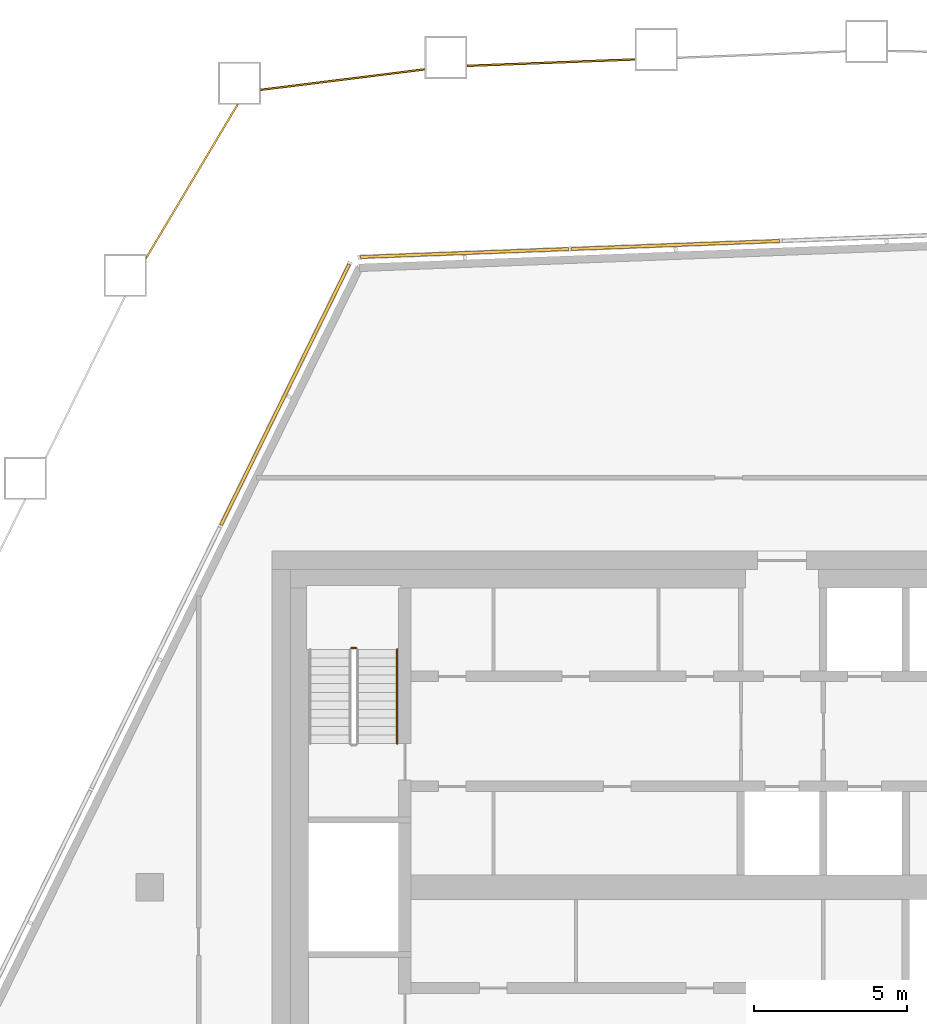
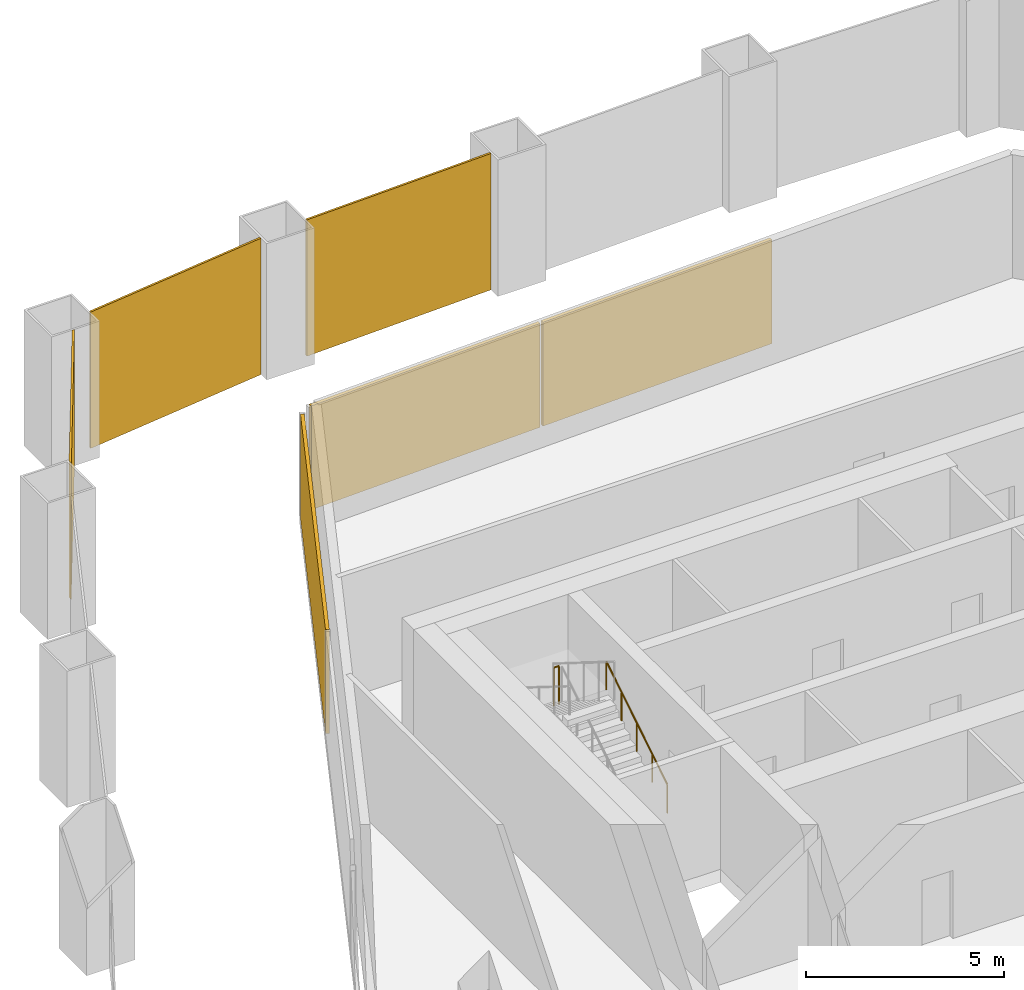
# One storey, part 16 of 18: 6 coverings, 2 railings, 2 elements without a shape of their own.
"""IFC4 building model written with IfcOpenShell, lengths in metres."""

import ifcopenshell
import ifcopenshell.guid

model = None  # the IFC model being written
_history = None  # IfcOwnerHistory: only IFC2X3 demands one
_inside = {}  # id of a spatial element -> (the spatial element, [elements in it])
_under = {}  # id of a project, library or spatial element -> (it, [spatial elements below it])
_declared = {}  # id of a project -> (the project, [libraries it declares])
_typed = {}  # id of a type object -> (the type object, [elements of that type])
_made_of = {}  # id of a material, layer set ... -> (it, [elements and type objects made of it])


def new_model(schema):
    """Start an empty IFC model of exactly this schema.

    Asked for "IFC4X3", IfcOpenShell would pick the latest addendum, in which some entities
    have other attributes; the version numbers below select the first issue.
    IFC2X3 requires an IfcOwnerHistory on every rooted entity: one is made here for all.
    """
    global model, _history
    if schema == "IFC4X3":
        model = ifcopenshell.file(schema_version=(4, 3, 0, 0))
    else:
        model = ifcopenshell.file(schema=schema)
    _inside.clear()
    _under.clear()
    _declared.clear()
    _typed.clear()
    _made_of.clear()
    _history = None
    if model.schema == "IFC2X3":
        org = make("IfcOrganization", Name="unknown")
        user = make(
            "IfcPersonAndOrganization",
            ThePerson=make("IfcPerson", FamilyName="unknown"),
            TheOrganization=org,
        )
        app = make(
            "IfcApplication",
            ApplicationDeveloper=org,
            Version="unknown",
            ApplicationFullName="unknown",
            ApplicationIdentifier="unknown",
        )
        _history = make(
            "IfcOwnerHistory",
            OwningUser=user,
            OwningApplication=app,
            ChangeAction="ADDED",
            CreationDate=0,
        )
    return model


def make(cls, **values):
    """One entity of the class cls with the attributes given. An attribute that is None is left unset."""
    return model.create_entity(
        cls, **{name: value for name, value in values.items() if value is not None}
    )


def rooted(cls, **values):
    """An entity with a GlobalId (a new one), such as an element, a storey or a relation."""
    return make(cls, GlobalId=ifcopenshell.guid.new(), OwnerHistory=_history, **values)


def si_unit(unit_type, name, prefix=None):
    """IfcSIUnit, for example si_unit("LENGTHUNIT", "METRE", prefix="MILLI")."""
    return make("IfcSIUnit", UnitType=unit_type, Prefix=prefix, Name=name)


def assignment(units):
    """IfcUnitAssignment: the units of a project."""
    return None if units is None else make("IfcUnitAssignment", Units=units)


def point(xyz):
    """IfcCartesianPoint."""
    return None if xyz is None else make("IfcCartesianPoint", Coordinates=xyz)


def direction(xyz):
    """IfcDirection."""
    return None if xyz is None else make("IfcDirection", DirectionRatios=xyz)


def frame(location, z_axis=None, x_axis=None):
    """IfcAxis2Placement3D, a coordinate frame: its origin and axes. An axis left out is left unset."""
    return make(
        "IfcAxis2Placement3D",
        Location=point(location),
        Axis=direction(z_axis),
        RefDirection=direction(x_axis),
    )


def frame_2d(location, x_axis=None):
    """IfcAxis2Placement2D, a coordinate frame in the plane: its origin and x axis."""
    return make(
        "IfcAxis2Placement2D", Location=point(location), RefDirection=direction(x_axis)
    )


def origin():
    """The frame at (0, 0, 0) with its axes left unset."""
    return frame((0.0, 0.0, 0.0))


def origin_2d():
    """The frame at (0, 0) in the plane with its x axis left unset."""
    return frame_2d((0.0, 0.0))


def place(relative_to, where):
    """IfcLocalPlacement: puts the frame where relative to a parent placement (None: the world)."""
    return make(
        "IfcLocalPlacement", PlacementRelTo=relative_to, RelativePlacement=where
    )


def context(
    kind, dimensions, precision=None, world=None, true_north=None, identifier=None
):
    """IfcGeometricRepresentationContext, for example the 3D "Model" context."""
    return make(
        "IfcGeometricRepresentationContext",
        ContextIdentifier=identifier,
        ContextType=kind,
        CoordinateSpaceDimension=dimensions,
        Precision=precision,
        WorldCoordinateSystem=world,
        TrueNorth=true_north,
    )


def subcontext(parent, identifier, kind, view, scale=None):
    """IfcGeometricRepresentationSubContext, for example "Body" below "Model"."""
    return make(
        "IfcGeometricRepresentationSubContext",
        ContextIdentifier=identifier,
        ContextType=kind,
        ParentContext=parent,
        TargetScale=scale,
        TargetView=view,
    )


def project(units=None, contexts=None):
    """IfcProject with its units and contexts."""
    return rooted(
        "IfcProject",
        Name="project",
        RepresentationContexts=contexts,
        UnitsInContext=assignment(units),
    )


def spatial(cls, under=None, at=None, **own):
    """A site, building, storey or space (cls), placed at a placement, below another one or the project."""
    s = rooted(cls, ObjectPlacement=at, **own)
    if under is not None:
        _under.setdefault(under.id(), (under, []))[1].append(s)
    return s


def polyline(points):
    """IfcPolyline through the points."""
    return make("IfcPolyline", Points=[point(p) for p in points])


def profile(cls, at=None, kind="AREA", **sizes):
    """A parametric profile (cls). Its sizes go by their IFC names, for example OverallWidth=200.0."""
    return make(cls, ProfileType=kind, Position=at, **sizes)


def rectangle(**sizes):
    """IfcRectangleProfileDef."""
    return profile("IfcRectangleProfileDef", **sizes)


def circle(**sizes):
    """IfcCircleProfileDef."""
    return profile("IfcCircleProfileDef", **sizes)


def outline(outer, holes=None, kind="AREA"):
    """IfcArbitraryClosedProfileDef: a profile drawn as a closed curve; with holes, ...WithVoids."""
    if holes is None:
        return make("IfcArbitraryClosedProfileDef", ProfileType=kind, OuterCurve=outer)
    return make(
        "IfcArbitraryProfileDefWithVoids",
        ProfileType=kind,
        OuterCurve=outer,
        InnerCurves=holes,
    )


def extrude(swept, where, along, depth):
    """IfcExtrudedAreaSolid: the profile swept, set in the frame where, extruded along a direction by depth."""
    return make(
        "IfcExtrudedAreaSolid",
        SweptArea=swept,
        Position=where,
        ExtrudedDirection=direction(along),
        Depth=depth,
    )


def shape(context_of_items, identifier, shape_type, items):
    """IfcShapeRepresentation: the items that make up one representation, for example the "Body"."""
    return make(
        "IfcShapeRepresentation",
        ContextOfItems=context_of_items,
        RepresentationIdentifier=identifier,
        RepresentationType=shape_type,
        Items=items,
    )


def material(Name=None, Category=None):
    """IfcMaterial."""
    return make("IfcMaterial", Name=Name, Category=Category)


def layer(
    of_material, thickness, ventilated=None, Name=None, Category=None, Priority=None
):
    """IfcMaterialLayer: one layer of a wall or slab, of a material (None: an air gap)."""
    return make(
        "IfcMaterialLayer",
        Material=of_material,
        LayerThickness=thickness,
        IsVentilated=ventilated,
        Name=Name,
        Category=Category,
        Priority=Priority,
    )


def layer_set(layers, Name=None):
    """IfcMaterialLayerSet."""
    return make("IfcMaterialLayerSet", MaterialLayers=layers, LayerSetName=Name)


def made_of(thing, what):
    """Note that an element or type object is made of a material, layer set ...; save() writes the relation."""
    if what is not None:
        _made_of.setdefault(what.id(), (what, []))[1].append(thing)
    return thing


def type_object(cls, material=None, **own):
    """A type object (cls), such as IfcWallType, which elements share."""
    return made_of(rooted(cls, **own), material)


def element(
    cls,
    number,
    at=None,
    inside=None,
    cuts=None,
    type_object=None,
    material=None,
    context=None,
    identifier="Body",
    shape_type=None,
    held_by="IfcProductDefinitionShape",
    body=None,
    shapes=None,
    **own,
):
    """One element of the class cls, such as IfcWall. Its Tag is "e" and its number.

    at: its placement. inside: the storey or other place that contains it. cuts: it is an
    opening in that element (IfcRelVoidsElement). A single representation is given by context,
    identifier, shape_type and body (its items); several are given by shapes. held_by: the class
    of the entity that holds the representations. save() writes the other relations.
    """
    e = rooted(cls, Tag="e%d" % number, ObjectPlacement=at, **own)
    if body is not None:
        shapes = [shape(context, identifier, shape_type, body)]
    if shapes is not None:
        e.Representation = make(held_by, Representations=shapes)
    if inside is not None:
        _inside.setdefault(inside.id(), (inside, []))[1].append(e)
    if cuts is not None:
        rooted(
            "IfcRelVoidsElement", RelatingBuildingElement=cuts, RelatedOpeningElement=e
        )
    if type_object is not None:
        _typed.setdefault(type_object.id(), (type_object, []))[1].append(e)
    return made_of(e, material)


def aggregate(whole, parts):
    """IfcRelAggregates: a whole, such as a stair, and the parts it consists of."""
    return rooted("IfcRelAggregates", RelatingObject=whole, RelatedObjects=parts)


def save(model, path):
    """Write the relations noted so far, then the file.

    IfcRelAggregates (storeys below a building ...), IfcRelContainedInSpatialStructure (elements
    in a storey), IfcRelDefinesByType, IfcRelAssociatesMaterial and IfcRelDeclares: one each for
    every whole, place, type object, material and project.
    """
    for whole, parts in _under.values():
        aggregate(whole, parts)
    for where, things in _inside.values():
        rooted(
            "IfcRelContainedInSpatialStructure",
            RelatedElements=things,
            RelatingStructure=where,
        )
    for kind, things in _typed.values():
        rooted("IfcRelDefinesByType", RelatedObjects=things, RelatingType=kind)
    for what, things in _made_of.values():
        rooted("IfcRelAssociatesMaterial", RelatedObjects=things, RelatingMaterial=what)
    for by, libraries in _declared.values():
        rooted("IfcRelDeclares", RelatingContext=by, RelatedDefinitions=libraries)
    model.write(path)


model = new_model("IFC4")

# Units and contexts
model_context = context("Model", 3, precision=1e-05, world=origin(), true_north=direction((0.0, 1.0)))
body_context = subcontext(model_context, "Body", "Model", "MODEL_VIEW")
ifc_project = project(units=[si_unit("LENGTHUNIT", "METRE"), si_unit("AREAUNIT", "SQUARE_METRE"), si_unit("VOLUMEUNIT", "CUBIC_METRE"), si_unit("PLANEANGLEUNIT", "RADIAN"), si_unit("MASSUNIT", "GRAM", prefix="KILO")], contexts=[model_context])

# Site, building, storey
site_placement = place(None, origin())
site = spatial("IfcSite", under=ifc_project, at=site_placement, CompositionType="ELEMENT")
building_placement = place(site_placement, origin())
building = spatial("IfcBuilding", under=site, at=building_placement, Name="Dongbaek Canopy Tower", CompositionType="ELEMENT")
storey_placement = place(building_placement, frame((0.0, 0.0, 363.199951171875)))
storey = spatial("IfcBuildingStorey", under=building, at=storey_placement, Name="L78", CompositionType="ELEMENT", Elevation=363.199951171875)

# Coverings
ifc_material_1 = material(Name="Perforated pale metal")
ifc_layer_1 = layer(ifc_material_1, 0.06005859375)
ifc_layer_set_1 = layer_set([ifc_layer_1], Name="Crown plant screen")
covering_type_1 = type_object("IfcCoveringType", Name="Crown plant screen", PredefinedType="CLADDING", material=ifc_layer_set_1)
covering_1_placement = place(storey_placement, origin())
element("IfcCovering", 1, at=covering_1_placement, inside=storey, type_object=covering_type_1, Name="Crown plant screen 20 L78", PredefinedType="CLADDING", context=body_context, shape_type="SweptSolid", body=[
    extrude(outline(polyline([(-2.117919921875, 27.131103515625), (-2.117919921875, 27.07080078125), (-7.60888671875, 26.860595703125), (-7.60888671875, 26.920654296875), (-2.117919921875, 27.131103515625)])), origin(), (0.0, 0.0, 1.0), 4.199951171875),
])
covering_2_placement = place(storey_placement, origin())
element("IfcCovering", 2, at=covering_2_placement, inside=storey, type_object=covering_type_1, Name="Crown plant screen 21 L78", PredefinedType="CLADDING", context=body_context, shape_type="SweptSolid", body=[
    extrude(outline(polyline([(-9.009033203125, 26.804443359375), (-9.009033203125, 26.744140625), (-14.362060546875, 26.07568359375), (-14.362060546875, 26.13623046875), (-9.009033203125, 26.804443359375)])), origin(), (0.0, 0.0, 1.0), 4.199951171875),
])
covering_3_placement = place(storey_placement, origin())
element("IfcCovering", 3, at=covering_3_placement, inside=storey, type_object=covering_type_1, Name="Crown plant screen 22 L78", PredefinedType="CLADDING", context=body_context, shape_type="SweptSolid", body=[
    extrude(outline(polyline([(-15.16455078125, 25.62109375), (-15.0947265625, 25.62109375), (-18.10595703125, 20.562744140625), (-18.10595703125, 20.679931640625), (-15.16455078125, 25.62109375)])), origin(), (0.0, 0.0, 1.0), 4.199951171875),
])

# Curtain wall, coverings
ifc_material_2 = material(Name="Aluminium 6063-T6 pale anodised", Category="aluminium")
ifc_layer_2 = layer(ifc_material_2, 0.14990234375)
ifc_layer_set_2 = layer_set([ifc_layer_2], Name="CW-7 louvre curtain wall")
curtain_wall_type = type_object("IfcCurtainWallType", Name="CW-7 louvre curtain wall", PredefinedType="NOTDEFINED", material=ifc_layer_set_2)
curtain_wall_1_placement = place(storey_placement, origin())
curtain_wall_1 = element("IfcCurtainWall", 4, at=curtain_wall_1_placement, inside=storey, type_object=curtain_wall_type, Name="CW-7 louvre wall L78 F3", PredefinedType="NOTDEFINED")
ifc_material_3 = material(Name="Aluminium 6063-T6 pale metal louvre blades", Category="aluminium")
ifc_layer_3 = layer(ifc_material_3, 0.10009765625)
ifc_layer_set_3 = layer_set([ifc_layer_3], Name="Louvre LV bank 100 x 3200")
covering_type_2 = type_object("IfcCoveringType", Name="Louvre LV bank 100 x 3200", PredefinedType="CLADDING", material=ifc_layer_set_3)
covering_4_placement = place(storey_placement, frame((-0.791015625, 21.02587890625, 0.30029296875), z_axis=(0.0, 0.0, 1.0), x_axis=(-0.999268890611, -0.038231979514, 0.0)))
covering_4 = element("IfcCovering", 5, at=covering_4_placement, type_object=covering_type_2, Name="Louvre L78 F3.1.2", PredefinedType="CLADDING", context=body_context, shape_type="SweptSolid", body=[
    extrude(rectangle(XDim=6.822265625, YDim=0.10009765625, at=origin_2d()), origin(), (0.0, 0.0, 1.0), 3.199951171875),
])
covering_5_placement = place(storey_placement, frame((-7.6982421875, 20.76171875, 0.30029296875), z_axis=(0.0, 0.0, 1.0), x_axis=(-0.999268890611, -0.038231979514, 0.0)))
covering_5 = element("IfcCovering", 6, at=covering_5_placement, type_object=covering_type_2, Name="Louvre L78 F3.1.3", PredefinedType="CLADDING", context=body_context, shape_type="SweptSolid", body=[
    extrude(rectangle(XDim=6.822265625, YDim=0.10009765625, at=origin_2d()), origin(), (0.0, 0.0, 1.0), 3.199951171875),
])
aggregate(curtain_wall_1, [covering_4, covering_5])

# Curtain wall, covering
curtain_wall_2_placement = place(storey_placement, origin())
curtain_wall_2 = element("IfcCurtainWall", 7, at=curtain_wall_2_placement, inside=storey, type_object=curtain_wall_type, Name="CW-7 louvre wall L78 F4", PredefinedType="NOTDEFINED")
covering_6_placement = place(storey_placement, frame((-13.5712890625, 16.126220703125, 0.30029296875), z_axis=(0.0, 0.0, 1.0), x_axis=(-0.441341619439, -0.897339163834, 0.0)))
covering_6 = element("IfcCovering", 8, at=covering_6_placement, type_object=covering_type_2, Name="Louvre L78 F4.1.1", PredefinedType="CLADDING", context=body_context, shape_type="SweptSolid", body=[
    extrude(rectangle(XDim=9.51171875, YDim=0.10009765625, at=origin_2d()), origin(), (0.0, 0.0, 1.0), 3.199951171875),
])
aggregate(curtain_wall_2, [covering_6])

# Railings
ifc_material_4 = material(Name="Stainless steel tube and balusters", Category="steel")
railing_type_1 = type_object("IfcRailingType", Name="Stair guard 1200", PredefinedType="GUARDRAIL", material=ifc_material_4)
railing_1_placement = place(storey_placement, frame((-11.25, 7.830078125, 2.10009765625)))
element("IfcRailing", 9, at=railing_1_placement, inside=storey, type_object=railing_type_1, Name="L78 ST-C stair guard 2", PredefinedType="GUARDRAIL", context=body_context, shape_type="SweptSolid", body=[
    extrude(circle(Radius=0.02392578125, at=origin_2d()), frame((0.0, 0.0, 1.17578125), z_axis=(-1.0, 0.0, 0.0), x_axis=(0.0, -1.0, 0.0)), (0.0, 0.0, 1.0), 0.14990234375),
    extrude(circle(Radius=0.02099609375, at=origin_2d()), origin(), (0.0, 0.0, 1.0), 1.15185546875),
    extrude(circle(Radius=0.02099609375, at=origin_2d()), frame((-0.14990234375, 0.0, 0.0)), (0.0, 0.0, 1.0), 1.15185546875),
])
ifc_material_5 = material(Name="Stainless steel tube", Category="steel")
railing_type_2 = type_object("IfcRailingType", Name="Stair handrail 900", PredefinedType="HANDRAIL", material=ifc_material_5)
railing_2_placement = place(storey_placement, frame((-9.89990234375, 4.699951171875, 0.175048828125)))
element("IfcRailing", 10, at=railing_2_placement, inside=storey, type_object=railing_type_2, Name="L78 ST-C stair handrail 1", PredefinedType="HANDRAIL", context=body_context, shape_type="SweptSolid", body=[
    extrude(circle(Radius=0.02392578125, at=origin_2d()), frame((0.0, 0.0, 0.8759765625), z_axis=(0.0, 0.847998304005, 0.529998940003), x_axis=(-1.0, 0.0, 0.0)), (0.0, 0.0, 1.0), 3.632080078125),
    extrude(circle(Radius=0.02099609375, at=origin_2d()), origin(), (0.0, 0.0, 1.0), 0.851806640625),
    extrude(circle(Radius=0.02099609375, at=origin_2d()), frame((0.0, 0.77001953125, 0.481201171875)), (0.0, 0.0, 1.0), 0.851806640625),
    extrude(circle(Radius=0.02099609375, at=origin_2d()), frame((0.0, 1.5400390625, 0.96240234375)), (0.0, 0.0, 1.0), 0.851806640625),
    extrude(circle(Radius=0.02099609375, at=origin_2d()), frame((0.0, 2.31005859375, 1.44384765625)), (0.0, 0.0, 1.0), 0.851806640625),
    extrude(circle(Radius=0.02099609375, at=origin_2d()), frame((0.0, 3.080078125, 1.925048828125)), (0.0, 0.0, 1.0), 0.851806640625),
])

save(model, "model.ifc")
